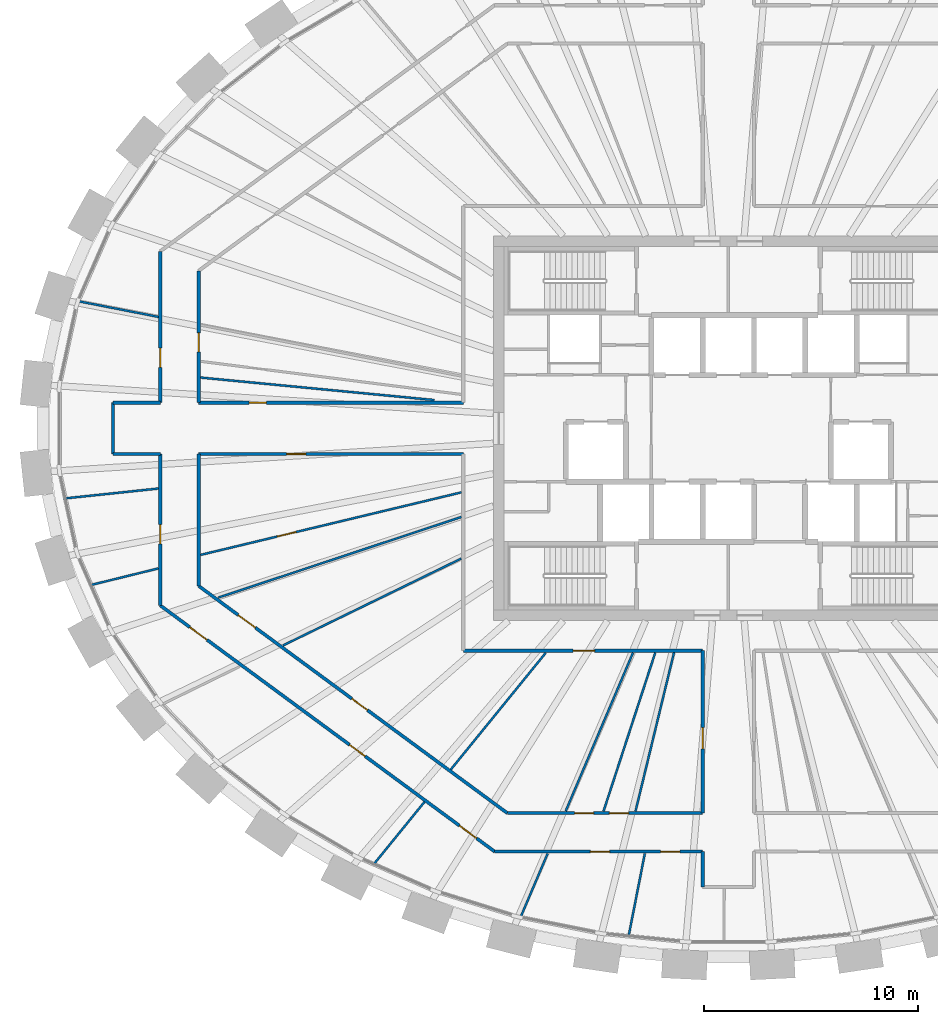
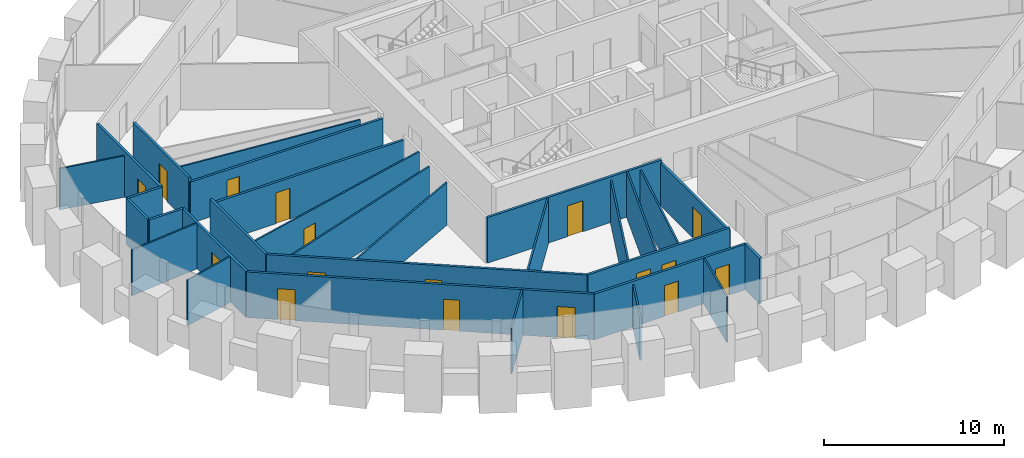
# One storey, part 6 of 12: 30 walls, 17 doors, 17 openings.
"""IFC4 building model written with IfcOpenShell, lengths in metres."""

import ifcopenshell
import ifcopenshell.guid

model = None  # the IFC model being written
_history = None  # IfcOwnerHistory: only IFC2X3 demands one
_inside = {}  # id of a spatial element -> (the spatial element, [elements in it])
_under = {}  # id of a project, library or spatial element -> (it, [spatial elements below it])
_declared = {}  # id of a project -> (the project, [libraries it declares])
_typed = {}  # id of a type object -> (the type object, [elements of that type])
_made_of = {}  # id of a material, layer set ... -> (it, [elements and type objects made of it])


def new_model(schema):
    """Start an empty IFC model of exactly this schema.

    Asked for "IFC4X3", IfcOpenShell would pick the latest addendum, in which some entities
    have other attributes; the version numbers below select the first issue.
    IFC2X3 requires an IfcOwnerHistory on every rooted entity: one is made here for all.
    """
    global model, _history
    if schema == "IFC4X3":
        model = ifcopenshell.file(schema_version=(4, 3, 0, 0))
    else:
        model = ifcopenshell.file(schema=schema)
    _inside.clear()
    _under.clear()
    _declared.clear()
    _typed.clear()
    _made_of.clear()
    _history = None
    if model.schema == "IFC2X3":
        org = make("IfcOrganization", Name="unknown")
        user = make(
            "IfcPersonAndOrganization",
            ThePerson=make("IfcPerson", FamilyName="unknown"),
            TheOrganization=org,
        )
        app = make(
            "IfcApplication",
            ApplicationDeveloper=org,
            Version="unknown",
            ApplicationFullName="unknown",
            ApplicationIdentifier="unknown",
        )
        _history = make(
            "IfcOwnerHistory",
            OwningUser=user,
            OwningApplication=app,
            ChangeAction="ADDED",
            CreationDate=0,
        )
    return model


def make(cls, **values):
    """One entity of the class cls with the attributes given. An attribute that is None is left unset."""
    return model.create_entity(
        cls, **{name: value for name, value in values.items() if value is not None}
    )


def rooted(cls, **values):
    """An entity with a GlobalId (a new one), such as an element, a storey or a relation."""
    return make(cls, GlobalId=ifcopenshell.guid.new(), OwnerHistory=_history, **values)


def si_unit(unit_type, name, prefix=None):
    """IfcSIUnit, for example si_unit("LENGTHUNIT", "METRE", prefix="MILLI")."""
    return make("IfcSIUnit", UnitType=unit_type, Prefix=prefix, Name=name)


def assignment(units):
    """IfcUnitAssignment: the units of a project."""
    return None if units is None else make("IfcUnitAssignment", Units=units)


def point(xyz):
    """IfcCartesianPoint."""
    return None if xyz is None else make("IfcCartesianPoint", Coordinates=xyz)


def direction(xyz):
    """IfcDirection."""
    return None if xyz is None else make("IfcDirection", DirectionRatios=xyz)


def frame(location, z_axis=None, x_axis=None):
    """IfcAxis2Placement3D, a coordinate frame: its origin and axes. An axis left out is left unset."""
    return make(
        "IfcAxis2Placement3D",
        Location=point(location),
        Axis=direction(z_axis),
        RefDirection=direction(x_axis),
    )


def frame_2d(location, x_axis=None):
    """IfcAxis2Placement2D, a coordinate frame in the plane: its origin and x axis."""
    return make(
        "IfcAxis2Placement2D", Location=point(location), RefDirection=direction(x_axis)
    )


def origin():
    """The frame at (0, 0, 0) with its axes left unset."""
    return frame((0.0, 0.0, 0.0))


def place(relative_to, where):
    """IfcLocalPlacement: puts the frame where relative to a parent placement (None: the world)."""
    return make(
        "IfcLocalPlacement", PlacementRelTo=relative_to, RelativePlacement=where
    )


def context(
    kind, dimensions, precision=None, world=None, true_north=None, identifier=None
):
    """IfcGeometricRepresentationContext, for example the 3D "Model" context."""
    return make(
        "IfcGeometricRepresentationContext",
        ContextIdentifier=identifier,
        ContextType=kind,
        CoordinateSpaceDimension=dimensions,
        Precision=precision,
        WorldCoordinateSystem=world,
        TrueNorth=true_north,
    )


def subcontext(parent, identifier, kind, view, scale=None):
    """IfcGeometricRepresentationSubContext, for example "Body" below "Model"."""
    return make(
        "IfcGeometricRepresentationSubContext",
        ContextIdentifier=identifier,
        ContextType=kind,
        ParentContext=parent,
        TargetScale=scale,
        TargetView=view,
    )


def project(units=None, contexts=None):
    """IfcProject with its units and contexts."""
    return rooted(
        "IfcProject",
        Name="project",
        RepresentationContexts=contexts,
        UnitsInContext=assignment(units),
    )


def spatial(cls, under=None, at=None, **own):
    """A site, building, storey or space (cls), placed at a placement, below another one or the project."""
    s = rooted(cls, ObjectPlacement=at, **own)
    if under is not None:
        _under.setdefault(under.id(), (under, []))[1].append(s)
    return s


def profile(cls, at=None, kind="AREA", **sizes):
    """A parametric profile (cls). Its sizes go by their IFC names, for example OverallWidth=200.0."""
    return make(cls, ProfileType=kind, Position=at, **sizes)


def rectangle(**sizes):
    """IfcRectangleProfileDef."""
    return profile("IfcRectangleProfileDef", **sizes)


def extrude(swept, where, along, depth):
    """IfcExtrudedAreaSolid: the profile swept, set in the frame where, extruded along a direction by depth."""
    return make(
        "IfcExtrudedAreaSolid",
        SweptArea=swept,
        Position=where,
        ExtrudedDirection=direction(along),
        Depth=depth,
    )


def shape(context_of_items, identifier, shape_type, items):
    """IfcShapeRepresentation: the items that make up one representation, for example the "Body"."""
    return make(
        "IfcShapeRepresentation",
        ContextOfItems=context_of_items,
        RepresentationIdentifier=identifier,
        RepresentationType=shape_type,
        Items=items,
    )


def source(mapping_origin, context_of_items, identifier, shape_type, items):
    """IfcRepresentationMap: a shape defined once, which mapped items show again and again."""
    return make(
        "IfcRepresentationMap",
        MappingOrigin=mapping_origin,
        MappedRepresentation=shape(context_of_items, identifier, shape_type, items),
    )


def transform(
    local_origin,
    x_axis=None,
    y_axis=None,
    z_axis=None,
    scale=None,
    scale2=None,
    scale3=None,
    uniform=True,
):
    """IfcCartesianTransformationOperator3D, or its non-uniform kind. x_axis, y_axis, z_axis: its Axis1, 2, 3."""
    if uniform:
        return make(
            "IfcCartesianTransformationOperator3D",
            Axis1=direction(x_axis),
            Axis2=direction(y_axis),
            LocalOrigin=point(local_origin),
            Scale=scale,
            Axis3=direction(z_axis),
        )
    return make(
        "IfcCartesianTransformationOperator3DnonUniform",
        Axis1=direction(x_axis),
        Axis2=direction(y_axis),
        LocalOrigin=point(local_origin),
        Scale=scale,
        Axis3=direction(z_axis),
        Scale2=scale2,
        Scale3=scale3,
    )


def mapped(mapping_source, mapping_target):
    """IfcMappedItem: shows the shape of a source again, moved by a transform."""
    return make(
        "IfcMappedItem", MappingSource=mapping_source, MappingTarget=mapping_target
    )


def material(Name=None, Category=None):
    """IfcMaterial."""
    return make("IfcMaterial", Name=Name, Category=Category)


def layer(
    of_material, thickness, ventilated=None, Name=None, Category=None, Priority=None
):
    """IfcMaterialLayer: one layer of a wall or slab, of a material (None: an air gap)."""
    return make(
        "IfcMaterialLayer",
        Material=of_material,
        LayerThickness=thickness,
        IsVentilated=ventilated,
        Name=Name,
        Category=Category,
        Priority=Priority,
    )


def layer_set(layers, Name=None):
    """IfcMaterialLayerSet."""
    return make("IfcMaterialLayerSet", MaterialLayers=layers, LayerSetName=Name)


def made_of(thing, what):
    """Note that an element or type object is made of a material, layer set ...; save() writes the relation."""
    if what is not None:
        _made_of.setdefault(what.id(), (what, []))[1].append(thing)
    return thing


def type_object(cls, material=None, **own):
    """A type object (cls), such as IfcWallType, which elements share."""
    return made_of(rooted(cls, **own), material)


def element(
    cls,
    number,
    at=None,
    inside=None,
    cuts=None,
    type_object=None,
    material=None,
    context=None,
    identifier="Body",
    shape_type=None,
    held_by="IfcProductDefinitionShape",
    body=None,
    shapes=None,
    **own,
):
    """One element of the class cls, such as IfcWall. Its Tag is "e" and its number.

    at: its placement. inside: the storey or other place that contains it. cuts: it is an
    opening in that element (IfcRelVoidsElement). A single representation is given by context,
    identifier, shape_type and body (its items); several are given by shapes. held_by: the class
    of the entity that holds the representations. save() writes the other relations.
    """
    e = rooted(cls, Tag="e%d" % number, ObjectPlacement=at, **own)
    if body is not None:
        shapes = [shape(context, identifier, shape_type, body)]
    if shapes is not None:
        e.Representation = make(held_by, Representations=shapes)
    if inside is not None:
        _inside.setdefault(inside.id(), (inside, []))[1].append(e)
    if cuts is not None:
        rooted(
            "IfcRelVoidsElement", RelatingBuildingElement=cuts, RelatedOpeningElement=e
        )
    if type_object is not None:
        _typed.setdefault(type_object.id(), (type_object, []))[1].append(e)
    return made_of(e, material)


def fill(opening, filler):
    """IfcRelFillsElement: the door or window that sits in an opening."""
    return rooted(
        "IfcRelFillsElement",
        RelatingOpeningElement=opening,
        RelatedBuildingElement=filler,
    )


def aggregate(whole, parts):
    """IfcRelAggregates: a whole, such as a stair, and the parts it consists of."""
    return rooted("IfcRelAggregates", RelatingObject=whole, RelatedObjects=parts)


def save(model, path):
    """Write the relations noted so far, then the file.

    IfcRelAggregates (storeys below a building ...), IfcRelContainedInSpatialStructure (elements
    in a storey), IfcRelDefinesByType, IfcRelAssociatesMaterial and IfcRelDeclares: one each for
    every whole, place, type object, material and project.
    """
    for whole, parts in _under.values():
        aggregate(whole, parts)
    for where, things in _inside.values():
        rooted(
            "IfcRelContainedInSpatialStructure",
            RelatedElements=things,
            RelatingStructure=where,
        )
    for kind, things in _typed.values():
        rooted("IfcRelDefinesByType", RelatedObjects=things, RelatingType=kind)
    for what, things in _made_of.values():
        rooted("IfcRelAssociatesMaterial", RelatedObjects=things, RelatingMaterial=what)
    for by, libraries in _declared.values():
        rooted("IfcRelDeclares", RelatingContext=by, RelatedDefinitions=libraries)
    model.write(path)


model = new_model("IFC4")

# Units and contexts
model_context = context("Model", 3, precision=1e-05, world=origin(), true_north=direction((0.0, 1.0)))
body_context = subcontext(model_context, "Body", "Model", "MODEL_VIEW")
ifc_project = project(units=[si_unit("LENGTHUNIT", "METRE"), si_unit("AREAUNIT", "SQUARE_METRE"), si_unit("VOLUMEUNIT", "CUBIC_METRE"), si_unit("PLANEANGLEUNIT", "RADIAN"), si_unit("MASSUNIT", "GRAM", prefix="KILO")], contexts=[model_context])

# Site, building, storey
site_placement = place(None, origin())
site = spatial("IfcSite", under=ifc_project, at=site_placement, CompositionType="ELEMENT")
building_placement = place(site_placement, origin())
building = spatial("IfcBuilding", under=site, at=building_placement, Name="Embergate Tower", CompositionType="ELEMENT")
storey_placement = place(building_placement, frame((0.0, 0.0, 269.5)))
storey = spatial("IfcBuildingStorey", under=building, at=storey_placement, Name="L62", CompositionType="ELEMENT", Elevation=269.5)

# Wall, opening, door
ifc_material_1 = material(Name="Corridor wall dry-lined 150")
ifc_layer_1 = layer(ifc_material_1, 0.14990234375)
ifc_layer_set_1 = layer_set([ifc_layer_1], Name="Corridor wall dry-lined 150")
wall_type_1 = type_object("IfcWallType", Name="Corridor wall dry-lined 150", PredefinedType="PARTITIONING", material=ifc_layer_set_1)
shared_shape_1 = source(origin(), body_context, "Body", "SweptSolid", [
    extrude(rectangle(XDim=11.199951171875, YDim=0.14990234375, at=frame_2d((5.60009765625, 0.0))), origin(), (0.0, 0.0, 1.0), 3.10009765625),
])
wall_1_placement = place(storey_placement, frame((-12.39990234375, -10.39990234375, 0.0), z_axis=(0.0, 0.0, 1.0), x_axis=(1.0, 0.0, 0.0)))
wall_1 = element("IfcWall", 1, at=wall_1_placement, inside=storey, type_object=wall_type_1, Name="IP-2 wall", PredefinedType="PARTITIONING", context=body_context, shape_type="MappedRepresentation", body=[
    mapped(shared_shape_1, transform((0.0, 0.0, 0.0))),
])
shared_shape_2 = source(origin(), body_context, "Body", "SweptSolid", [
    extrude(rectangle(XDim=1.0, YDim=2.10009765625, at=frame_2d((0.5, 1.050048828125))), frame((0.0, 0.0849609375, 0.0), z_axis=(0.0, -1.0, 0.0), x_axis=(1.0, 0.0, 0.0)), (0.0, 0.0, 1.0), 0.169921875),
])
opening_1_placement = place(wall_1_placement, frame((5.139892578125, 0.0, 0.0)))
opening_1 = element("IfcOpeningElement", 2, at=opening_1_placement, cuts=wall_1, Name="Opening ID-2", PredefinedType="OPENING", context=body_context, shape_type="MappedRepresentation", body=[
    mapped(shared_shape_2, transform((0.0, 0.0, 0.0))),
])
ifc_material_2 = material(Name="Interior door 1000")
door_type_1 = type_object("IfcDoorType", Name="Interior door 1000", OperationType="SINGLE_SWING_LEFT", PredefinedType="DOOR", material=ifc_material_2)
shared_shape_3 = source(origin(), body_context, "Body", "SweptSolid", [
    extrude(rectangle(XDim=1.0, YDim=2.10009765625, at=frame_2d((0.5, 1.050048828125))), frame((0.0, 0.02490234375, 0.0), z_axis=(0.0, -1.0, 0.0), x_axis=(1.0, 0.0, 0.0)), (0.0, 0.0, 1.0), 0.050048828125),
])
door_1_placement = place(opening_1_placement, origin())
door_1 = element("IfcDoor", 3, at=door_1_placement, inside=storey, type_object=door_type_1, Name="ID-2 door", OperationType="SINGLE_SWING_LEFT", OverallHeight=2.10009765625, OverallWidth=1.0, PredefinedType="DOOR", context=body_context, shape_type="MappedRepresentation", body=[
    mapped(shared_shape_3, transform((0.0, 0.0, 0.0))),
])
fill(opening_1, door_1)

# Wall
shared_shape_4 = source(origin(), body_context, "Body", "SweptSolid", [
    extrude(rectangle(XDim=2.39990234375, YDim=0.14990234375, at=frame_2d((1.199951171875, 0.0))), origin(), (0.0, 0.0, 1.0), 3.10009765625),
])
wall_2_placement = place(storey_placement, frame((-28.797119140625, -1.199951171875, 0.0), z_axis=(0.0, 0.0, 1.0), x_axis=(0.0, 1.0, 0.0)))
element("IfcWall", 4, at=wall_2_placement, inside=storey, type_object=wall_type_1, Name="IP-2 wall", PredefinedType="PARTITIONING", context=body_context, shape_type="MappedRepresentation", body=[
    mapped(shared_shape_4, transform((0.0, 0.0, 0.0))),
])

# Wall, openings, doors
shared_shape_5 = source(origin(), body_context, "Body", "SweptSolid", [
    extrude(rectangle(XDim=19.429931640625, YDim=0.14990234375, at=frame_2d((9.71484375, 0.0))), origin(), (0.0, 0.0, 1.0), 3.10009765625),
])
wall_3_placement = place(storey_placement, frame((-26.5810546875, -8.283935546875, 0.0), z_axis=(0.0, 0.0, 1.0), x_axis=(0.8053507143, -0.592798639486, 0.0)))
wall_3 = element("IfcWall", 5, at=wall_3_placement, inside=storey, type_object=wall_type_1, Name="IP-2 wall", PredefinedType="PARTITIONING", context=body_context, shape_type="MappedRepresentation", body=[
    mapped(shared_shape_5, transform((0.0, 0.0, 0.0))),
])
shared_shape_6 = source(origin(), body_context, "Body", "SweptSolid", [
    extrude(rectangle(XDim=0.89990234375, YDim=2.10009765625, at=frame_2d((0.449951171875, 1.050048828125))), frame((0.0, 0.0849609375, 0.0), z_axis=(0.0, -1.0, 0.0), x_axis=(1.0, 0.0, 0.0)), (0.0, 0.0, 1.0), 0.169921875),
])
opening_2_placement = place(wall_3_placement, frame((11.000732421875, 0.0, 0.0)))
opening_2 = element("IfcOpeningElement", 6, at=opening_2_placement, cuts=wall_3, Name="Opening IF-1c", PredefinedType="OPENING", context=body_context, shape_type="MappedRepresentation", body=[
    mapped(shared_shape_6, transform((0.0, 0.0, 0.0))),
])
opening_3_placement = place(wall_3_placement, frame((17.377685546875, 0.0, 0.0)))
opening_3 = element("IfcOpeningElement", 7, at=opening_3_placement, cuts=wall_3, Name="Opening ID-2", PredefinedType="OPENING", context=body_context, shape_type="MappedRepresentation", body=[
    mapped(shared_shape_2, transform((0.0, 0.0, 0.0))),
])
opening_4_placement = place(wall_3_placement, frame((1.71484375, 0.0, 0.0)))
opening_4 = element("IfcOpeningElement", 8, at=opening_4_placement, cuts=wall_3, Name="Opening ID-2", PredefinedType="OPENING", context=body_context, shape_type="MappedRepresentation", body=[
    mapped(shared_shape_2, transform((0.0, 0.0, 0.0))),
])
ifc_material_3 = material(Name="Escape fire door 900")
door_type_2 = type_object("IfcDoorType", Name="Escape fire door 900", OperationType="SINGLE_SWING_LEFT", PredefinedType="DOOR", material=ifc_material_3)
shared_shape_7 = source(origin(), body_context, "Body", "SweptSolid", [
    extrude(rectangle(XDim=0.89990234375, YDim=2.10009765625, at=frame_2d((0.449951171875, 1.050048828125))), frame((0.0, 0.02490234375, 0.0), z_axis=(0.0, -1.0, 0.0), x_axis=(1.0, 0.0, 0.0)), (0.0, 0.0, 1.0), 0.050048828125),
])
door_2_placement = place(opening_2_placement, origin())
door_2 = element("IfcDoor", 9, at=door_2_placement, inside=storey, type_object=door_type_2, Name="IF-1 door", OperationType="SINGLE_SWING_RIGHT", OverallHeight=2.10009765625, OverallWidth=0.89990234375, PredefinedType="DOOR", context=body_context, shape_type="MappedRepresentation", body=[
    mapped(shared_shape_7, transform((0.0, 0.0, 0.0))),
])
fill(opening_2, door_2)
door_3_placement = place(opening_3_placement, origin())
door_3 = element("IfcDoor", 10, at=door_3_placement, inside=storey, type_object=door_type_1, Name="ID-2 door", OperationType="SINGLE_SWING_LEFT", OverallHeight=2.10009765625, OverallWidth=1.0, PredefinedType="DOOR", context=body_context, shape_type="MappedRepresentation", body=[
    mapped(shared_shape_3, transform((0.0, 0.0, 0.0))),
])
fill(opening_3, door_3)
door_4_placement = place(opening_4_placement, origin())
door_4 = element("IfcDoor", 11, at=door_4_placement, inside=storey, type_object=door_type_1, Name="ID-2 door", OperationType="SINGLE_SWING_RIGHT", OverallHeight=2.10009765625, OverallWidth=1.0, PredefinedType="DOOR", context=body_context, shape_type="MappedRepresentation", body=[
    mapped(shared_shape_3, transform((0.0, 0.0, 0.0))),
])
fill(opening_4, door_4)

shared_shape_8 = source(origin(), body_context, "Body", "SweptSolid", [
    extrude(rectangle(XDim=9.733154296875, YDim=0.14990234375, at=frame_2d((4.86669921875, 0.0))), origin(), (0.0, 0.0, 1.0), 3.10009765625),
])
wall_4_placement = place(storey_placement, frame((-10.93310546875, -19.802001953125, 0.0), z_axis=(0.0, 0.0, 1.0), x_axis=(1.0, 0.0, 0.0)))
wall_4 = element("IfcWall", 12, at=wall_4_placement, inside=storey, type_object=wall_type_1, Name="IP-2 wall", PredefinedType="PARTITIONING", context=body_context, shape_type="MappedRepresentation", body=[
    mapped(shared_shape_8, transform((0.0, 0.0, 0.0))),
])
opening_5_placement = place(wall_4_placement, frame((4.48095703125, 0.0, 0.0)))
opening_5 = element("IfcOpeningElement", 13, at=opening_5_placement, cuts=wall_4, Name="Opening IF-1c", PredefinedType="OPENING", context=body_context, shape_type="MappedRepresentation", body=[
    mapped(shared_shape_6, transform((0.0, 0.0, 0.0))),
])
opening_6_placement = place(wall_4_placement, frame((7.759033203125, 0.0, 0.0)))
opening_6 = element("IfcOpeningElement", 14, at=opening_6_placement, cuts=wall_4, Name="Opening IF-1c", PredefinedType="OPENING", context=body_context, shape_type="MappedRepresentation", body=[
    mapped(shared_shape_6, transform((0.0, 0.0, 0.0))),
])
door_5_placement = place(opening_5_placement, origin())
door_5 = element("IfcDoor", 15, at=door_5_placement, inside=storey, type_object=door_type_2, Name="IF-1 door", OperationType="SINGLE_SWING_LEFT", OverallHeight=2.10009765625, OverallWidth=0.89990234375, PredefinedType="DOOR", context=body_context, shape_type="MappedRepresentation", body=[
    mapped(shared_shape_7, transform((0.0, 0.0, 0.0))),
])
fill(opening_5, door_5)
door_6_placement = place(opening_6_placement, origin())
door_6 = element("IfcDoor", 16, at=door_6_placement, inside=storey, type_object=door_type_2, Name="IF-1 door", OperationType="SINGLE_SWING_RIGHT", OverallHeight=2.10009765625, OverallWidth=0.89990234375, PredefinedType="DOOR", context=body_context, shape_type="MappedRepresentation", body=[
    mapped(shared_shape_7, transform((0.0, 0.0, 0.0))),
])
fill(opening_6, door_6)

shared_shape_9 = source(origin(), body_context, "Body", "SweptSolid", [
    extrude(rectangle(XDim=17.9287109375, YDim=0.14990234375, at=frame_2d((8.96435546875, 0.0))), origin(), (0.0, 0.0, 1.0), 3.10009765625),
])
wall_5_placement = place(storey_placement, frame((-10.342041015625, -18.001953125, 0.0), z_axis=(0.0, 0.0, 1.0), x_axis=(-0.805356928681, 0.592790196803, 0.0)))
wall_5 = element("IfcWall", 17, at=wall_5_placement, inside=storey, type_object=wall_type_1, Name="IP-2 wall", PredefinedType="PARTITIONING", context=body_context, shape_type="MappedRepresentation", body=[
    mapped(shared_shape_9, transform((0.0, 0.0, 0.0))),
])
opening_7_placement = place(wall_5_placement, frame((8.131103515625, 0.0, 0.0)))
opening_7 = element("IfcOpeningElement", 18, at=opening_7_placement, cuts=wall_5, Name="Opening IF-1c", PredefinedType="OPENING", context=body_context, shape_type="MappedRepresentation", body=[
    mapped(shared_shape_6, transform((0.0, 0.0, 0.0))),
])
opening_8_placement = place(wall_5_placement, frame((14.636962890625, 0.0, 0.0)))
opening_8 = element("IfcOpeningElement", 19, at=opening_8_placement, cuts=wall_5, Name="Opening ID-2", PredefinedType="OPENING", context=body_context, shape_type="MappedRepresentation", body=[
    mapped(shared_shape_2, transform((0.0, 0.0, 0.0))),
])
door_7_placement = place(opening_7_placement, origin())
door_7 = element("IfcDoor", 20, at=door_7_placement, inside=storey, type_object=door_type_2, Name="IF-1 door", OperationType="SINGLE_SWING_LEFT", OverallHeight=2.10009765625, OverallWidth=0.89990234375, PredefinedType="DOOR", context=body_context, shape_type="MappedRepresentation", body=[
    mapped(shared_shape_7, transform((0.0, 0.0, 0.0))),
])
fill(opening_7, door_7)
door_8_placement = place(opening_8_placement, origin())
door_8 = element("IfcDoor", 21, at=door_8_placement, inside=storey, type_object=door_type_1, Name="ID-2 door", OperationType="SINGLE_SWING_RIGHT", OverallHeight=2.10009765625, OverallWidth=1.0, PredefinedType="DOOR", context=body_context, shape_type="MappedRepresentation", body=[
    mapped(shared_shape_3, transform((0.0, 0.0, 0.0))),
])
fill(opening_8, door_8)

shared_shape_10 = source(origin(), body_context, "Body", "SweptSolid", [
    extrude(rectangle(XDim=9.14208984375, YDim=0.14990234375, at=frame_2d((4.571044921875, 0.0))), origin(), (0.0, 0.0, 1.0), 3.10009765625),
])
wall_6_placement = place(storey_placement, frame((-1.199951171875, -18.001953125, 0.0), z_axis=(0.0, 0.0, 1.0), x_axis=(-1.0, 0.0, 0.0)))
wall_6 = element("IfcWall", 22, at=wall_6_placement, inside=storey, type_object=wall_type_1, Name="IP-2 wall", PredefinedType="PARTITIONING", context=body_context, shape_type="MappedRepresentation", body=[
    mapped(shared_shape_10, transform((0.0, 0.0, 0.0))),
])
opening_9_placement = place(wall_6_placement, frame((5.09912109375, 0.0, 0.0)))
opening_9 = element("IfcOpeningElement", 23, at=opening_9_placement, cuts=wall_6, Name="Opening IF-1c", PredefinedType="OPENING", context=body_context, shape_type="MappedRepresentation", body=[
    mapped(shared_shape_6, transform((0.0, 0.0, 0.0))),
])
opening_10_placement = place(wall_6_placement, frame((3.468017578125, 0.0, 0.0)))
opening_10 = element("IfcOpeningElement", 24, at=opening_10_placement, cuts=wall_6, Name="Opening IF-1c", PredefinedType="OPENING", context=body_context, shape_type="MappedRepresentation", body=[
    mapped(shared_shape_6, transform((0.0, 0.0, 0.0))),
])
door_9_placement = place(opening_9_placement, origin())
door_9 = element("IfcDoor", 25, at=door_9_placement, inside=storey, type_object=door_type_2, Name="IF-1 door", OperationType="SINGLE_SWING_LEFT", OverallHeight=2.10009765625, OverallWidth=0.89990234375, PredefinedType="DOOR", context=body_context, shape_type="MappedRepresentation", body=[
    mapped(shared_shape_7, transform((0.0, 0.0, 0.0))),
])
fill(opening_9, door_9)
door_10_placement = place(opening_10_placement, origin())
door_10 = element("IfcDoor", 26, at=door_10_placement, inside=storey, type_object=door_type_2, Name="IF-1 door", OperationType="SINGLE_SWING_LEFT", OverallHeight=2.10009765625, OverallWidth=0.89990234375, PredefinedType="DOOR", context=body_context, shape_type="MappedRepresentation", body=[
    mapped(shared_shape_7, transform((0.0, 0.0, 0.0))),
])
fill(opening_10, door_10)

# Wall
shared_shape_11 = source(origin(), body_context, "Body", "SweptSolid", [
    extrude(rectangle(XDim=1.656982421875, YDim=0.14990234375, at=frame_2d((0.82861328125, 0.0))), origin(), (0.0, 0.0, 1.0), 3.10009765625),
])
wall_7_placement = place(storey_placement, frame((-1.199951171875, -21.458984375, 0.0), z_axis=(0.0, 0.0, 1.0), x_axis=(0.0, 1.0, 0.0)))
element("IfcWall", 27, at=wall_7_placement, inside=storey, type_object=wall_type_1, Name="IP-2 wall", PredefinedType="PARTITIONING", context=body_context, shape_type="MappedRepresentation", body=[
    mapped(shared_shape_11, transform((0.0, 0.0, 0.0))),
])

# Wall, opening, door
shared_shape_12 = source(origin(), body_context, "Body", "SweptSolid", [
    extrude(rectangle(XDim=7.60205078125, YDim=0.14990234375, at=frame_2d((3.801025390625, 0.0))), origin(), (0.0, 0.0, 1.0), 2.89990234375),
])
wall_8_placement = place(storey_placement, frame((-1.199951171875, -18.001953125, 0.0), z_axis=(0.0, 0.0, 1.0), x_axis=(0.0, 1.0, 0.0)))
wall_8 = element("IfcWall", 28, at=wall_8_placement, inside=storey, type_object=wall_type_1, Name="IP-2 wall", PredefinedType="PARTITIONING", context=body_context, shape_type="MappedRepresentation", body=[
    mapped(shared_shape_12, transform((0.0, 0.0, 0.0))),
])
opening_11_placement = place(wall_8_placement, frame((3.000732421875, 0.0, 0.0)))
opening_11 = element("IfcOpeningElement", 29, at=opening_11_placement, cuts=wall_8, Name="Opening ID-2", PredefinedType="OPENING", context=body_context, shape_type="MappedRepresentation", body=[
    mapped(shared_shape_2, transform((0.0, 0.0, 0.0))),
])
door_11_placement = place(opening_11_placement, origin())
door_11 = element("IfcDoor", 30, at=door_11_placement, inside=storey, type_object=door_type_1, Name="ID-2 door", OperationType="SINGLE_SWING_LEFT", OverallHeight=2.10009765625, OverallWidth=1.0, PredefinedType="DOOR", context=body_context, shape_type="MappedRepresentation", body=[
    mapped(shared_shape_3, transform((0.0, 0.0, 0.0))),
])
fill(opening_11, door_11)

shared_shape_13 = source(origin(), body_context, "Body", "SweptSolid", [
    extrude(rectangle(XDim=7.083984375, YDim=0.14990234375, at=frame_2d((3.5419921875, 0.0))), origin(), (0.0, 0.0, 1.0), 3.10009765625),
])
wall_9_placement = place(storey_placement, frame((-26.5810546875, 8.283935546875, 0.0), z_axis=(0.0, 0.0, 1.0), x_axis=(0.0, -1.0, 0.0)))
wall_9 = element("IfcWall", 31, at=wall_9_placement, inside=storey, type_object=wall_type_1, Name="IP-2 wall", PredefinedType="PARTITIONING", context=body_context, shape_type="MappedRepresentation", body=[
    mapped(shared_shape_13, transform((0.0, 0.0, 0.0))),
])
opening_12_placement = place(wall_9_placement, frame((4.534423828125, 0.0, 0.0)))
opening_12 = element("IfcOpeningElement", 32, at=opening_12_placement, cuts=wall_9, Name="Opening IF-1c", PredefinedType="OPENING", context=body_context, shape_type="MappedRepresentation", body=[
    mapped(shared_shape_6, transform((0.0, 0.0, 0.0))),
])
door_12_placement = place(opening_12_placement, origin())
door_12 = element("IfcDoor", 33, at=door_12_placement, inside=storey, type_object=door_type_2, Name="IF-1 door", OperationType="SINGLE_SWING_RIGHT", OverallHeight=2.10009765625, OverallWidth=0.89990234375, PredefinedType="DOOR", context=body_context, shape_type="MappedRepresentation", body=[
    mapped(shared_shape_7, transform((0.0, 0.0, 0.0))),
])
fill(opening_12, door_12)

wall_10_placement = place(storey_placement, frame((-26.5810546875, -8.283935546875, 0.0), z_axis=(0.0, 0.0, 1.0), x_axis=(0.0, 1.0, 0.0)))
wall_10 = element("IfcWall", 34, at=wall_10_placement, inside=storey, type_object=wall_type_1, Name="IP-2 wall", PredefinedType="PARTITIONING", context=body_context, shape_type="MappedRepresentation", body=[
    mapped(shared_shape_13, transform((0.0, 0.0, 0.0))),
])
opening_13_placement = place(wall_10_placement, frame((2.87744140625, 0.0, 0.0)))
opening_13 = element("IfcOpeningElement", 35, at=opening_13_placement, cuts=wall_10, Name="Opening IF-1c", PredefinedType="OPENING", context=body_context, shape_type="MappedRepresentation", body=[
    mapped(shared_shape_6, transform((0.0, 0.0, 0.0))),
])
door_13_placement = place(opening_13_placement, origin())
door_13 = element("IfcDoor", 36, at=door_13_placement, inside=storey, type_object=door_type_2, Name="IF-1 door", OperationType="SINGLE_SWING_RIGHT", OverallHeight=2.10009765625, OverallWidth=0.89990234375, PredefinedType="DOOR", context=body_context, shape_type="MappedRepresentation", body=[
    mapped(shared_shape_7, transform((0.0, 0.0, 0.0))),
])
fill(opening_13, door_13)

# Walls
shared_shape_14 = source(origin(), body_context, "Body", "SweptSolid", [
    extrude(rectangle(XDim=2.216064453125, YDim=0.14990234375, at=frame_2d((1.10791015625, 0.0))), origin(), (0.0, 0.0, 1.0), 3.10009765625),
])
for number, where, z_axis, x_axis, name in (
    (37, (-26.5810546875, -1.199951171875, 0.0), (0.0, 0.0, 1.0), (-1.0, 0.0, 0.0), "IP-2 wall"),
    (38, (-28.797119140625, 1.199951171875, 0.0), (0.0, 0.0, 1.0), (1.0, 0.0, 0.0), "IP-2 wall"),
):
    element("IfcWall", number, at=place(storey_placement, frame(where, z_axis=z_axis, x_axis=x_axis)), inside=storey, type_object=wall_type_1, Name=name, PredefinedType="PARTITIONING", context=body_context, shape_type="MappedRepresentation", body=[
        mapped(shared_shape_14, transform((0.0, 0.0, 0.0))),
    ])

# Wall, opening, door
shared_shape_15 = source(origin(), body_context, "Body", "SweptSolid", [
    extrude(rectangle(XDim=12.381103515625, YDim=0.14990234375, at=frame_2d((6.1904296875, 0.0))), origin(), (0.0, 0.0, 1.0), 2.800048828125),
])
wall_11_placement = place(storey_placement, frame((-12.39990234375, -1.199951171875, 0.0), z_axis=(0.0, 0.0, 1.0), x_axis=(-1.0, 0.0, 0.0)))
wall_11 = element("IfcWall", 39, at=wall_11_placement, inside=storey, type_object=wall_type_1, Name="IP-2 wall", PredefinedType="PARTITIONING", context=body_context, shape_type="MappedRepresentation", body=[
    mapped(shared_shape_15, transform((0.0, 0.0, 0.0))),
])
opening_14_placement = place(wall_11_placement, frame((7.373046875, 0.0, 0.0)))
opening_14 = element("IfcOpeningElement", 40, at=opening_14_placement, cuts=wall_11, Name="Opening IF-1c", PredefinedType="OPENING", context=body_context, shape_type="MappedRepresentation", body=[
    mapped(shared_shape_6, transform((0.0, 0.0, 0.0))),
])
door_14_placement = place(opening_14_placement, origin())
door_14 = element("IfcDoor", 41, at=door_14_placement, inside=storey, type_object=door_type_2, Name="IF-1 door", OperationType="SINGLE_SWING_LEFT", OverallHeight=2.10009765625, OverallWidth=0.89990234375, PredefinedType="DOOR", context=body_context, shape_type="MappedRepresentation", body=[
    mapped(shared_shape_7, transform((0.0, 0.0, 0.0))),
])
fill(opening_14, door_14)

wall_12_placement = place(storey_placement, frame((-12.39990234375, 1.199951171875, 0.0), z_axis=(0.0, 0.0, 1.0), x_axis=(-1.0, 0.0, 0.0)))
wall_12 = element("IfcWall", 42, at=wall_12_placement, inside=storey, type_object=wall_type_1, Name="IP-2 wall", PredefinedType="PARTITIONING", context=body_context, shape_type="MappedRepresentation", body=[
    mapped(shared_shape_15, transform((0.0, 0.0, 0.0))),
])
shared_shape_16 = source(origin(), body_context, "Body", "SweptSolid", [
    extrude(rectangle(XDim=0.800048828125, YDim=2.10009765625, at=frame_2d((0.39990234375, 1.050048828125))), frame((0.0, 0.0849609375, 0.0), z_axis=(0.0, -1.0, 0.0), x_axis=(1.0, 0.0, 0.0)), (0.0, 0.0, 1.0), 0.169921875),
])
opening_15_placement = place(wall_12_placement, frame((9.218017578125, 0.0, 0.0)))
opening_15 = element("IfcOpeningElement", 43, at=opening_15_placement, cuts=wall_12, Name="Opening IF-1a", PredefinedType="OPENING", context=body_context, shape_type="MappedRepresentation", body=[
    mapped(shared_shape_16, transform((0.0, 0.0, 0.0))),
])
ifc_material_4 = material(Name="Escape fire door 800")
door_type_3 = type_object("IfcDoorType", Name="Escape fire door 800", OperationType="SINGLE_SWING_LEFT", PredefinedType="DOOR", material=ifc_material_4)
shared_shape_17 = source(origin(), body_context, "Body", "SweptSolid", [
    extrude(rectangle(XDim=0.800048828125, YDim=2.10009765625, at=frame_2d((0.39990234375, 1.050048828125))), frame((0.0, 0.02490234375, 0.0), z_axis=(0.0, -1.0, 0.0), x_axis=(1.0, 0.0, 0.0)), (0.0, 0.0, 1.0), 0.050048828125),
])
door_15_placement = place(opening_15_placement, origin())
door_15 = element("IfcDoor", 44, at=door_15_placement, inside=storey, type_object=door_type_3, Name="IF-1 door", OperationType="SINGLE_SWING_RIGHT", OverallHeight=2.10009765625, OverallWidth=0.800048828125, PredefinedType="DOOR", context=body_context, shape_type="MappedRepresentation", body=[
    mapped(shared_shape_17, transform((0.0, 0.0, 0.0))),
])
fill(opening_15, door_15)

shared_shape_18 = source(origin(), body_context, "Body", "SweptSolid", [
    extrude(rectangle(XDim=6.174072265625, YDim=0.14990234375, at=frame_2d((3.0869140625, 0.0))), origin(), (0.0, 0.0, 1.0), 3.10009765625),
])
wall_13_placement = place(storey_placement, frame((-24.781005859375, 1.199951171875, 0.0), z_axis=(0.0, 0.0, 1.0), x_axis=(0.0, 1.0, 0.0)))
wall_13 = element("IfcWall", 45, at=wall_13_placement, inside=storey, type_object=wall_type_1, Name="IP-2 wall", PredefinedType="PARTITIONING", context=body_context, shape_type="MappedRepresentation", body=[
    mapped(shared_shape_18, transform((0.0, 0.0, 0.0))),
])
opening_16_placement = place(wall_13_placement, frame((2.3740234375, 0.0, 0.0)))
opening_16 = element("IfcOpeningElement", 46, at=opening_16_placement, cuts=wall_13, Name="Opening IF-1c", PredefinedType="OPENING", context=body_context, shape_type="MappedRepresentation", body=[
    mapped(shared_shape_6, transform((0.0, 0.0, 0.0))),
])
door_16_placement = place(opening_16_placement, origin())
door_16 = element("IfcDoor", 47, at=door_16_placement, inside=storey, type_object=door_type_2, Name="IF-1 door", OperationType="SINGLE_SWING_RIGHT", OverallHeight=2.10009765625, OverallWidth=0.89990234375, PredefinedType="DOOR", context=body_context, shape_type="MappedRepresentation", body=[
    mapped(shared_shape_7, transform((0.0, 0.0, 0.0))),
])
fill(opening_16, door_16)

# Walls
wall_14_placement = place(storey_placement, frame((-24.781005859375, -1.199951171875, 0.0), z_axis=(0.0, 0.0, 1.0), x_axis=(0.0, -1.0, 0.0)))
element("IfcWall", 48, at=wall_14_placement, inside=storey, type_object=wall_type_1, Name="IP-2 wall", PredefinedType="PARTITIONING", context=body_context, shape_type="MappedRepresentation", body=[
    mapped(shared_shape_18, transform((0.0, 0.0, 0.0))),
])
ifc_material_5 = material(Name="Partition dry-lined 100")
ifc_layer_2 = layer(ifc_material_5, 0.10009765625)
ifc_layer_set_2 = layer_set([ifc_layer_2], Name="Partition dry-lined 100")
wall_type_2 = type_object("IfcWallType", Name="Partition dry-lined 100", PredefinedType="PARTITIONING", material=ifc_layer_set_2)
shared_shape_19 = source(origin(), body_context, "Body", "SweptSolid", [
    extrude(rectangle(XDim=3.78076171875, YDim=0.10009765625, at=frame_2d((1.890380859375, 0.0))), origin(), (0.0, 0.0, 1.0), 3.10009765625),
])
wall_15_placement = place(storey_placement, frame((-14.218017578125, -17.47705078125, 0.0), z_axis=(0.0, 0.0, 1.0), x_axis=(-0.631076271644, -0.77572078699, 0.0)))
element("IfcWall", 49, at=wall_15_placement, inside=storey, type_object=wall_type_2, Name="IP-1 wall", PredefinedType="PARTITIONING", context=body_context, shape_type="MappedRepresentation", body=[
    mapped(shared_shape_19, transform((0.0, 0.0, 0.0))),
])
shared_shape_20 = source(origin(), body_context, "Body", "SweptSolid", [
    extrude(rectangle(XDim=3.234619140625, YDim=0.10009765625, at=frame_2d((1.6171875, 0.0))), origin(), (0.0, 0.0, 1.0), 2.89990234375),
])
wall_16_placement = place(storey_placement, frame((-8.45703125, -19.89599609375, 0.0), z_axis=(0.0, 0.0, 1.0), x_axis=(-0.391047939918, -0.920370310628, 0.0)))
element("IfcWall", 50, at=wall_16_placement, inside=storey, type_object=wall_type_2, Name="IP-1 wall", PredefinedType="PARTITIONING", context=body_context, shape_type="MappedRepresentation", body=[
    mapped(shared_shape_20, transform((0.0, 0.0, 0.0))),
])
shared_shape_21 = source(origin(), body_context, "Body", "SweptSolid", [
    extrude(rectangle(XDim=7.0322265625, YDim=0.10009765625, at=frame_2d((3.51611328125, 0.0))), origin(), (0.0, 0.0, 1.0), 3.10009765625),
])
wall_17_placement = place(storey_placement, frame((-8.548095703125, -10.507080078125, 0.0), z_axis=(0.0, 0.0, 1.0), x_axis=(-0.63110092236, -0.77570073211, 0.0)))
element("IfcWall", 51, at=wall_17_placement, inside=storey, type_object=wall_type_2, Name="IP-1 wall", PredefinedType="PARTITIONING", context=body_context, shape_type="MappedRepresentation", body=[
    mapped(shared_shape_21, transform((0.0, 0.0, 0.0))),
])
shared_shape_22 = source(origin(), body_context, "Body", "SweptSolid", [
    extrude(rectangle(XDim=9.27783203125, YDim=0.10009765625, at=frame_2d((4.638916015625, 0.0))), origin(), (0.0, 0.0, 1.0), 2.89990234375),
])
wall_18_placement = place(storey_placement, frame((-12.4970703125, -6.091064453125, 0.0), z_axis=(0.0, 0.0, 1.0), x_axis=(-0.898907497404, -0.438138461118, 0.0)))
element("IfcWall", 52, at=wall_18_placement, inside=storey, type_object=wall_type_2, Name="IP-1 wall", PredefinedType="PARTITIONING", context=body_context, shape_type="MappedRepresentation", body=[
    mapped(shared_shape_22, transform((0.0, 0.0, 0.0))),
])
shared_shape_23 = source(origin(), body_context, "Body", "SweptSolid", [
    extrude(rectangle(XDim=8.053955078125, YDim=0.10009765625, at=frame_2d((4.02685546875, 0.0))), origin(), (0.0, 0.0, 1.0), 2.89990234375),
])
wall_19_placement = place(storey_placement, frame((-4.4609375, -10.4951171875, 0.0), z_axis=(0.0, 0.0, 1.0), x_axis=(-0.391254252204, -0.920282625139, 0.0)))
element("IfcWall", 53, at=wall_19_placement, inside=storey, type_object=wall_type_2, Name="IP-1 wall", PredefinedType="PARTITIONING", context=body_context, shape_type="MappedRepresentation", body=[
    mapped(shared_shape_23, transform((0.0, 0.0, 0.0))),
])
shared_shape_24 = source(origin(), body_context, "Body", "SweptSolid", [
    extrude(rectangle(XDim=3.978759765625, YDim=0.10009765625, at=frame_2d((1.9892578125, 0.0))), origin(), (0.0, 0.0, 1.0), 3.10009765625),
])
wall_20_placement = place(storey_placement, frame((-3.906982421875, -19.885986328125, 0.0), z_axis=(0.0, 0.0, 1.0), x_axis=(-0.192799110805, -0.981238249801, 0.0)))
element("IfcWall", 54, at=wall_20_placement, inside=storey, type_object=wall_type_2, Name="IP-1 wall", PredefinedType="PARTITIONING", context=body_context, shape_type="MappedRepresentation", body=[
    mapped(shared_shape_24, transform((0.0, 0.0, 0.0))),
])
shared_shape_25 = source(origin(), body_context, "Body", "SweptSolid", [
    extrude(rectangle(XDim=7.8046875, YDim=0.10009765625, at=frame_2d((3.90234375, 0.0))), origin(), (0.0, 0.0, 1.0), 3.10009765625),
])
wall_21_placement = place(storey_placement, frame((-3.419921875, -10.490966796875, 0.0), z_axis=(0.0, 0.0, 1.0), x_axis=(-0.310093130229, -0.950706185204, 0.0)))
element("IfcWall", 55, at=wall_21_placement, inside=storey, type_object=wall_type_2, Name="IP-1 wall", PredefinedType="PARTITIONING", context=body_context, shape_type="MappedRepresentation", body=[
    mapped(shared_shape_25, transform((0.0, 0.0, 0.0))),
])
shared_shape_26 = source(origin(), body_context, "Body", "SweptSolid", [
    extrude(rectangle(XDim=7.6435546875, YDim=0.10009765625, at=frame_2d((3.82177734375, 0.0))), origin(), (0.0, 0.0, 1.0), 2.89990234375),
])
wall_22_placement = place(storey_placement, frame((-2.54296875, -10.487060546875, 0.0), z_axis=(0.0, 0.0, 1.0), x_axis=(-0.235758177272, -0.97181175227, 0.0)))
element("IfcWall", 56, at=wall_22_placement, inside=storey, type_object=wall_type_2, Name="IP-1 wall", PredefinedType="PARTITIONING", context=body_context, shape_type="MappedRepresentation", body=[
    mapped(shared_shape_26, transform((0.0, 0.0, 0.0))),
])
shared_shape_27 = source(origin(), body_context, "Body", "SweptSolid", [
    extrude(rectangle(XDim=3.822021484375, YDim=0.10009765625, at=frame_2d((1.9111328125, 0.0))), origin(), (0.0, 0.0, 1.0), 2.800048828125),
])
wall_23_placement = place(storey_placement, frame((-26.666015625, 5.216064453125, 0.0), z_axis=(0.0, 0.0, 1.0), x_axis=(-0.98139265486, 0.192011606386, 0.0)))
element("IfcWall", 57, at=wall_23_placement, inside=storey, type_object=wall_type_2, Name="IP-1 wall", PredefinedType="PARTITIONING", context=body_context, shape_type="MappedRepresentation", body=[
    mapped(shared_shape_27, transform((0.0, 0.0, 0.0))),
])
shared_shape_28 = source(origin(), body_context, "Body", "SweptSolid", [
    extrude(rectangle(XDim=4.4658203125, YDim=0.10009765625, at=frame_2d((2.23291015625, 0.0))), origin(), (0.0, 0.0, 1.0), 3.10009765625),
])
wall_24_placement = place(storey_placement, frame((-26.660888671875, -2.81396484375, 0.0), z_axis=(0.0, 0.0, 1.0), x_axis=(-0.994470349589, -0.105017730832, 0.0)))
element("IfcWall", 58, at=wall_24_placement, inside=storey, type_object=wall_type_2, Name="IP-1 wall", PredefinedType="PARTITIONING", context=body_context, shape_type="MappedRepresentation", body=[
    mapped(shared_shape_28, transform((0.0, 0.0, 0.0))),
])
shared_shape_29 = source(origin(), body_context, "Body", "SweptSolid", [
    extrude(rectangle(XDim=3.31689453125, YDim=0.10009765625, at=frame_2d((1.658447265625, 0.0))), origin(), (0.0, 0.0, 1.0), 3.10009765625),
])
wall_25_placement = place(storey_placement, frame((-26.66796875, -6.552001953125, 0.0), z_axis=(0.0, 0.0, 1.0), x_axis=(-0.971074770792, -0.238775604976, 0.0)))
element("IfcWall", 59, at=wall_25_placement, inside=storey, type_object=wall_type_2, Name="IP-1 wall", PredefinedType="PARTITIONING", context=body_context, shape_type="MappedRepresentation", body=[
    mapped(shared_shape_29, transform((0.0, 0.0, 0.0))),
])

# Wall, opening, door
shared_shape_30 = source(origin(), body_context, "Body", "SweptSolid", [
    extrude(rectangle(XDim=12.552978515625, YDim=0.10009765625, at=frame_2d((6.2763671875, 0.0))), origin(), (0.0, 0.0, 1.0), 3.10009765625),
])
wall_26_placement = place(storey_placement, frame((-12.487060546875, -2.992919921875, 0.0), z_axis=(0.0, 0.0, 1.0), x_axis=(-0.972435829174, -0.233170663119, 0.0)))
wall_26 = element("IfcWall", 60, at=wall_26_placement, inside=storey, type_object=wall_type_2, Name="IP-1 wall", PredefinedType="PARTITIONING", context=body_context, shape_type="MappedRepresentation", body=[
    mapped(shared_shape_30, transform((0.0, 0.0, 0.0))),
])
shared_shape_31 = source(origin(), body_context, "Body", "SweptSolid", [
    extrude(rectangle(XDim=0.89990234375, YDim=2.10009765625, at=frame_2d((0.449951171875, 1.050048828125))), frame((0.0, 0.06005859375, 0.0), z_axis=(0.0, -1.0, 0.0), x_axis=(1.0, 0.0, 0.0)), (0.0, 0.0, 1.0), 0.1201171875),
])
opening_17_placement = place(wall_26_placement, frame((7.9609375, 0.0, 0.0)))
opening_17 = element("IfcOpeningElement", 61, at=opening_17_placement, cuts=wall_26, Name="Opening ID-1", PredefinedType="OPENING", context=body_context, shape_type="MappedRepresentation", body=[
    mapped(shared_shape_31, transform((0.0, 0.0, 0.0))),
])
ifc_material_6 = material(Name="Interior door 900")
door_type_4 = type_object("IfcDoorType", Name="Interior door 900", OperationType="SINGLE_SWING_LEFT", PredefinedType="DOOR", material=ifc_material_6)
door_17_placement = place(opening_17_placement, origin())
door_17 = element("IfcDoor", 62, at=door_17_placement, inside=storey, type_object=door_type_4, Name="ID-1 door", OperationType="SINGLE_SWING_LEFT", OverallHeight=2.10009765625, OverallWidth=0.89990234375, PredefinedType="DOOR", context=body_context, shape_type="MappedRepresentation", body=[
    mapped(shared_shape_7, transform((0.0, 0.0, 0.0))),
])
fill(opening_17, door_17)

# Walls
shared_shape_32 = source(origin(), body_context, "Body", "SweptSolid", [
    extrude(rectangle(XDim=11.985595703125, YDim=0.10009765625, at=frame_2d((5.99267578125, 0.0))), origin(), (0.0, 0.0, 1.0), 2.800048828125),
])
wall_27_placement = place(storey_placement, frame((-12.490966796875, -4.14404296875, 0.0), z_axis=(0.0, 0.0, 1.0), x_axis=(-0.949134529704, -0.314870837844, 0.0)))
element("IfcWall", 63, at=wall_27_placement, inside=storey, type_object=wall_type_2, Name="IP-1 wall", PredefinedType="PARTITIONING", context=body_context, shape_type="MappedRepresentation", body=[
    mapped(shared_shape_32, transform((0.0, 0.0, 0.0))),
])
shared_shape_33 = source(origin(), body_context, "Body", "SweptSolid", [
    extrude(rectangle(XDim=10.99755859375, YDim=0.10009765625, at=frame_2d((5.498779296875, 0.0))), origin(), (0.0, 0.0, 1.0), 3.10009765625),
])
wall_28_placement = place(storey_placement, frame((-13.759033203125, 1.324951171875, 0.0), z_axis=(0.0, 0.0, 1.0), x_axis=(-0.995397267075, 0.095834652913, 0.0)))
element("IfcWall", 64, at=wall_28_placement, inside=storey, type_object=wall_type_2, Name="IP-1 wall", PredefinedType="PARTITIONING", context=body_context, shape_type="MappedRepresentation", body=[
    mapped(shared_shape_33, transform((0.0, 0.0, 0.0))),
])

save(model, "model.ifc")
